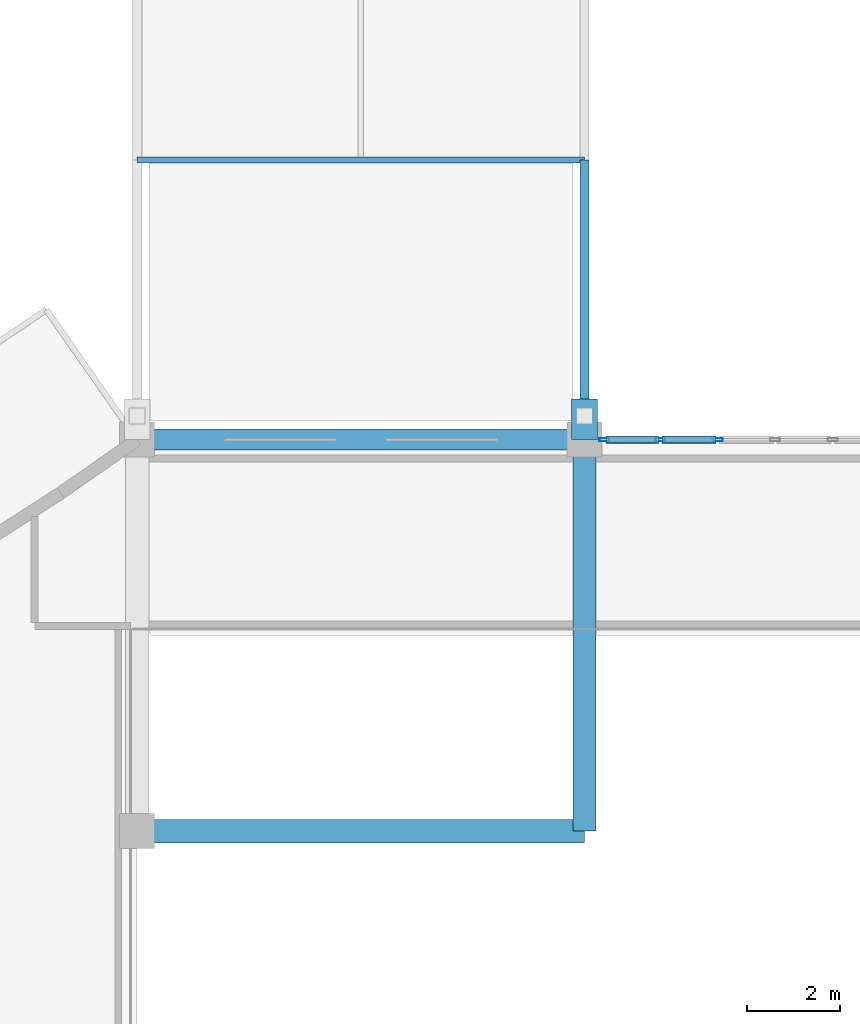
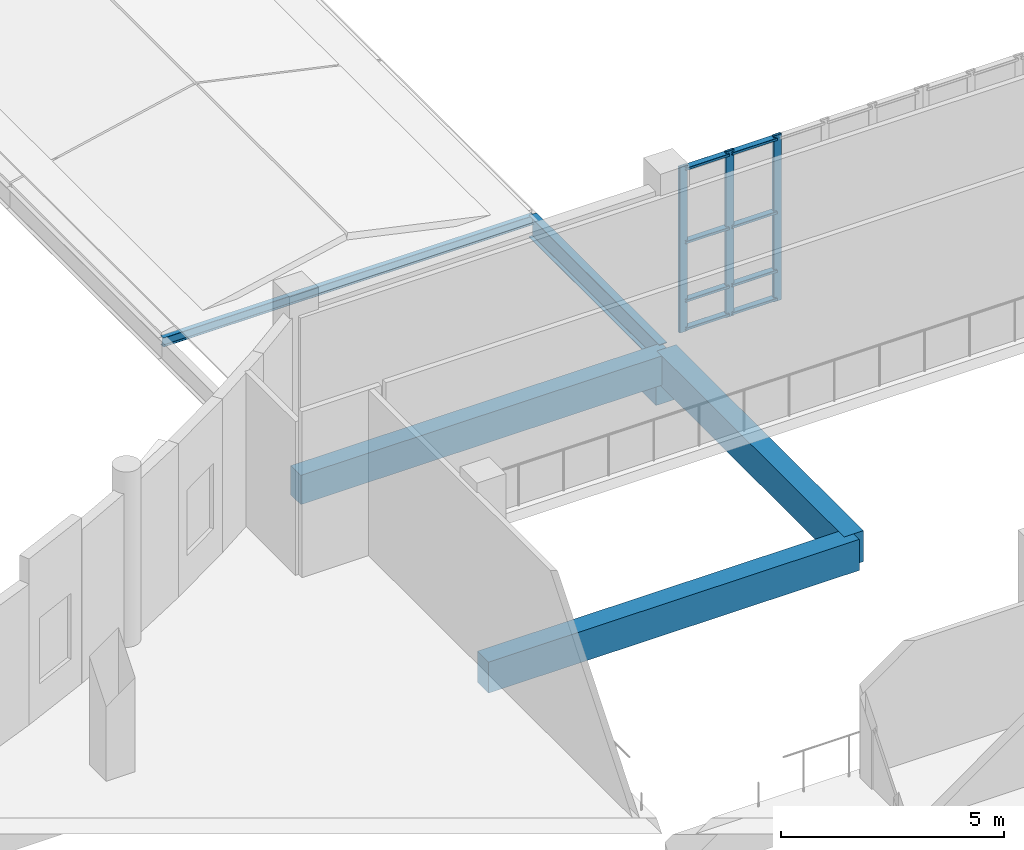
# One storey, part 46 of 106: 11 members, 6 beams, 1 element without a shape of its own.
"""IFC4 building model written with IfcOpenShell, lengths in metres."""

from ifc_helpers import new_model, si_unit, direction, frame, origin, origin_2d, place, context, subcontext, project, spatial, rectangle, hollow_rectangle, i_section, extrude, material, layer, layer_set, material_profile, profile_set, type_object, element, aggregate, save


model = new_model("IFC4")

# Units and contexts
model_context = context("Model", 3, precision=1e-05, world=origin(), true_north=direction((0.0, 1.0)))
body_context = subcontext(model_context, "Body", "Model", "MODEL_VIEW")
ifc_project = project(units=[si_unit("LENGTHUNIT", "METRE"), si_unit("AREAUNIT", "SQUARE_METRE"), si_unit("VOLUMEUNIT", "CUBIC_METRE"), si_unit("PLANEANGLEUNIT", "RADIAN"), si_unit("MASSUNIT", "GRAM", prefix="KILO")], contexts=[model_context])

# Site, building, storey
site_placement = place(None, origin())
site = spatial("IfcSite", under=ifc_project, at=site_placement, CompositionType="ELEMENT")
building_placement = place(site_placement, origin())
building = spatial("IfcBuilding", under=site, at=building_placement, Name="Kisaragi Civic Commons", CompositionType="ELEMENT")
storey_placement = place(building_placement, frame((0.0, 0.0, 4.800048828125)))
storey = spatial("IfcBuildingStorey", under=building, at=storey_placement, Name="L01", CompositionType="ELEMENT", Elevation=4.800048828125)

# Beam
ifc_material_1 = material(Name="Concrete Fc36", Category="concrete")
ifc_material_profile_1 = material_profile(ifc_material_1, rectangle(XDim=0.550048828125, YDim=0.85009765625, at=origin_2d()), Name="RC-550x850", Category="concrete")
ifc_profile_set_1 = profile_set([ifc_material_profile_1], Name="Concrete Fc36")
beam_type_1 = type_object("IfcBeamType", Name="CB-01", PredefinedType="BEAM", material=ifc_profile_set_1)
beam_1_placement = place(storey_placement, frame((133.199951171875, 25.199951171875, -1.3701171875), z_axis=(0.0, 1.0, 0.0), x_axis=(-1.0, 0.0, 0.0)))
element("IfcBeam", 1, at=beam_1_placement, inside=storey, type_object=beam_type_1, Name="BR-V4-V3 L01 seismic corbel 151", PredefinedType="BEAM", context=body_context, shape_type="SweptSolid", body=[
    extrude(rectangle(XDim=0.550048828125, YDim=0.85009765625, at=origin_2d()), origin(), (0.0, 0.0, 1.0), 0.8701171875),
])

# Curtain wall, members
ifc_material_2 = material(Name="Thermally broken anodized aluminium and low-E double glazing", Category="aluminium")
ifc_layer = layer(ifc_material_2, 0.2099609375, Name="Thermally broken anodized aluminium and low-E double glazing", Category="aluminium")
ifc_layer_set = layer_set([ifc_layer], Name="Thermally broken anodized aluminium and low-E double glazing")
curtain_wall_type = type_object("IfcCurtainWallType", Name="CW-02", PredefinedType="NOTDEFINED", material=ifc_layer_set)
curtain_wall_placement = place(storey_placement, origin())
curtain_wall = element("IfcCurtainWall", 2, at=curtain_wall_placement, inside=storey, type_object=curtain_wall_type, Name="L01 curtain wall CW-02 CW-V3-L01-019", PredefinedType="NOTDEFINED")
ifc_material_profile_2 = material_profile(ifc_material_2, hollow_rectangle(XDim=0.070068359375, YDim=0.2099609375, WallThickness=0.0048828125, InnerFilletRadius=0.0048828125, OuterFilletRadius=0.010009765625, at=origin_2d()), Name="CWM-70x210x5", Category="aluminium")
ifc_profile_set_2 = profile_set([ifc_material_profile_2], Name="Thermally broken anodized aluminium and low-E double glazing")
member_type_1 = type_object("IfcMemberType", Name="CWM-03", PredefinedType="MULLION", material=ifc_profile_set_2)
member_1_placement = place(storey_placement, frame((133.625, 25.199951171875, 0.0), z_axis=(0.0, 0.0, 1.0), x_axis=(0.0, 1.0, 0.0)))
member_1 = element("IfcMember", 3, at=member_1_placement, type_object=member_type_1, Name="CW-02 mullion 1", PredefinedType="MULLION", context=body_context, shape_type="SweptSolid", body=[
    extrude(hollow_rectangle(XDim=0.070068359375, YDim=0.2099609375, WallThickness=0.0048828125, InnerFilletRadius=0.0048828125, OuterFilletRadius=0.010009765625, at=origin_2d()), origin(), (0.0, 0.0, 1.0), 4.5400390625),
])
member_2_placement = place(storey_placement, frame((134.823974609375, 25.199951171875, 0.0), z_axis=(0.0, 0.0, 1.0), x_axis=(0.0, 1.0, 0.0)))
member_2 = element("IfcMember", 4, at=member_2_placement, type_object=member_type_1, Name="CW-02 mullion 2", PredefinedType="MULLION", context=body_context, shape_type="SweptSolid", body=[
    extrude(hollow_rectangle(XDim=0.070068359375, YDim=0.2099609375, WallThickness=0.0048828125, InnerFilletRadius=0.0048828125, OuterFilletRadius=0.010009765625, at=origin_2d()), origin(), (0.0, 0.0, 1.0), 4.5400390625),
])
member_3_placement = place(storey_placement, frame((136.05810546875, 25.199951171875, 0.0), z_axis=(0.0, 0.0, 1.0), x_axis=(0.0, 1.0, 0.0)))
member_3 = element("IfcMember", 5, at=member_3_placement, type_object=member_type_1, Name="CW-02 mullion 3", PredefinedType="MULLION", context=body_context, shape_type="SweptSolid", body=[
    extrude(hollow_rectangle(XDim=0.070068359375, YDim=0.2099609375, WallThickness=0.0048828125, InnerFilletRadius=0.0048828125, OuterFilletRadius=0.010009765625, at=origin_2d()), origin(), (0.0, 0.0, 1.0), 4.5400390625),
])
ifc_material_profile_3 = material_profile(ifc_material_2, hollow_rectangle(XDim=0.159912109375, YDim=0.070068359375, WallThickness=0.0048828125, InnerFilletRadius=0.0048828125, OuterFilletRadius=0.010009765625, at=origin_2d()), Name="CWT-70x160x5", Category="aluminium")
ifc_profile_set_3 = profile_set([ifc_material_profile_3], Name="Thermally broken anodized aluminium and low-E double glazing")
member_type_2 = type_object("IfcMemberType", Name="CWT-03", PredefinedType="USERDEFINED", material=ifc_profile_set_3)
member_4_placement = place(storey_placement, frame((133.659912109375, 25.199951171875, 0.079833984375), z_axis=(1.0, 0.0, 0.0), x_axis=(0.0, 1.0, 0.0)))
member_4 = element("IfcMember", 6, at=member_4_placement, type_object=member_type_2, Name="CW-02 transom 1.1", ObjectType="TRANSOM", PredefinedType="USERDEFINED", context=body_context, shape_type="SweptSolid", body=[
    extrude(hollow_rectangle(XDim=0.159912109375, YDim=0.070068359375, WallThickness=0.0048828125, InnerFilletRadius=0.0048828125, OuterFilletRadius=0.010009765625, at=origin_2d()), origin(), (0.0, 0.0, 1.0), 1.129150390625),
])
member_5_placement = place(storey_placement, frame((133.659912109375, 25.199951171875, 0.849853515625), z_axis=(1.0, 0.0, 0.0), x_axis=(0.0, 1.0, 0.0)))
member_5 = element("IfcMember", 7, at=member_5_placement, type_object=member_type_2, Name="CW-02 transom 1.2", ObjectType="TRANSOM", PredefinedType="USERDEFINED", context=body_context, shape_type="SweptSolid", body=[
    extrude(hollow_rectangle(XDim=0.159912109375, YDim=0.070068359375, WallThickness=0.0048828125, InnerFilletRadius=0.0048828125, OuterFilletRadius=0.010009765625, at=origin_2d()), origin(), (0.0, 0.0, 1.0), 1.129150390625),
])
member_6_placement = place(storey_placement, frame((133.659912109375, 25.199951171875, 2.449951171875), z_axis=(1.0, 0.0, 0.0), x_axis=(0.0, 1.0, 0.0)))
member_6 = element("IfcMember", 8, at=member_6_placement, type_object=member_type_2, Name="CW-02 transom 1.3", ObjectType="TRANSOM", PredefinedType="USERDEFINED", context=body_context, shape_type="SweptSolid", body=[
    extrude(hollow_rectangle(XDim=0.159912109375, YDim=0.070068359375, WallThickness=0.0048828125, InnerFilletRadius=0.0048828125, OuterFilletRadius=0.010009765625, at=origin_2d()), origin(), (0.0, 0.0, 1.0), 1.129150390625),
])
member_7_placement = place(storey_placement, frame((133.659912109375, 25.199951171875, 4.4599609375), z_axis=(1.0, 0.0, 0.0), x_axis=(0.0, 1.0, 0.0)))
member_7 = element("IfcMember", 9, at=member_7_placement, type_object=member_type_2, Name="CW-02 transom 1.4", ObjectType="TRANSOM", PredefinedType="USERDEFINED", context=body_context, shape_type="SweptSolid", body=[
    extrude(hollow_rectangle(XDim=0.159912109375, YDim=0.070068359375, WallThickness=0.0048828125, InnerFilletRadius=0.0048828125, OuterFilletRadius=0.010009765625, at=origin_2d()), origin(), (0.0, 0.0, 1.0), 1.129150390625),
])
member_8_placement = place(storey_placement, frame((134.85888671875, 25.199951171875, 0.079833984375), z_axis=(1.0, 0.0, 0.0), x_axis=(0.0, 1.0, 0.0)))
member_8 = element("IfcMember", 10, at=member_8_placement, type_object=member_type_2, Name="CW-02 transom 2.1", ObjectType="TRANSOM", PredefinedType="USERDEFINED", context=body_context, shape_type="SweptSolid", body=[
    extrude(hollow_rectangle(XDim=0.159912109375, YDim=0.070068359375, WallThickness=0.0048828125, InnerFilletRadius=0.0048828125, OuterFilletRadius=0.010009765625, at=origin_2d()), origin(), (0.0, 0.0, 1.0), 1.1640625),
])
member_9_placement = place(storey_placement, frame((134.85888671875, 25.199951171875, 0.849853515625), z_axis=(1.0, 0.0, 0.0), x_axis=(0.0, 1.0, 0.0)))
member_9 = element("IfcMember", 11, at=member_9_placement, type_object=member_type_2, Name="CW-02 transom 2.2", ObjectType="TRANSOM", PredefinedType="USERDEFINED", context=body_context, shape_type="SweptSolid", body=[
    extrude(hollow_rectangle(XDim=0.159912109375, YDim=0.070068359375, WallThickness=0.0048828125, InnerFilletRadius=0.0048828125, OuterFilletRadius=0.010009765625, at=origin_2d()), origin(), (0.0, 0.0, 1.0), 1.1640625),
])
member_10_placement = place(storey_placement, frame((134.85888671875, 25.199951171875, 2.449951171875), z_axis=(1.0, 0.0, 0.0), x_axis=(0.0, 1.0, 0.0)))
member_10 = element("IfcMember", 12, at=member_10_placement, type_object=member_type_2, Name="CW-02 transom 2.3", ObjectType="TRANSOM", PredefinedType="USERDEFINED", context=body_context, shape_type="SweptSolid", body=[
    extrude(hollow_rectangle(XDim=0.159912109375, YDim=0.070068359375, WallThickness=0.0048828125, InnerFilletRadius=0.0048828125, OuterFilletRadius=0.010009765625, at=origin_2d()), origin(), (0.0, 0.0, 1.0), 1.1640625),
])
member_11_placement = place(storey_placement, frame((134.85888671875, 25.199951171875, 4.4599609375), z_axis=(1.0, 0.0, 0.0), x_axis=(0.0, 1.0, 0.0)))
member_11 = element("IfcMember", 13, at=member_11_placement, type_object=member_type_2, Name="CW-02 transom 2.4", ObjectType="TRANSOM", PredefinedType="USERDEFINED", context=body_context, shape_type="SweptSolid", body=[
    extrude(hollow_rectangle(XDim=0.159912109375, YDim=0.070068359375, WallThickness=0.0048828125, InnerFilletRadius=0.0048828125, OuterFilletRadius=0.010009765625, at=origin_2d()), origin(), (0.0, 0.0, 1.0), 1.1640625),
])
aggregate(curtain_wall, [member_1, member_2, member_3, member_4, member_5, member_6, member_7, member_8, member_9, member_10, member_11])

# Beams
ifc_material_3 = material(Name="Concrete Fc30", Category="concrete")
ifc_material_profile_4 = material_profile(ifc_material_3, rectangle(XDim=0.5, YDim=0.85009765625, at=origin_2d()), Name="RC-500x850", Category="concrete")
ifc_profile_set_4 = profile_set([ifc_material_profile_4], Name="Concrete Fc30")
beam_type_2 = type_object("IfcBeamType", Name="G-02", PredefinedType="BEAM", material=ifc_profile_set_4)
beam_2_placement = place(storey_placement, frame((123.60009765625, 16.800048828125, -0.72998046875), z_axis=(1.0, 0.0, 0.0), x_axis=(0.0, 1.0, 0.0)))
element("IfcBeam", 14, at=beam_2_placement, inside=storey, type_object=beam_type_2, Name="L01 girder G-02 211", PredefinedType="BEAM", context=body_context, shape_type="SweptSolid", body=[
    extrude(rectangle(XDim=0.5, YDim=0.85009765625, at=origin_2d()), origin(), (0.0, 0.0, 1.0), 9.599853515625),
])
beam_3_placement = place(storey_placement, frame((133.199951171875, 16.800048828125, -0.72998046875), z_axis=(0.0, 1.0, 0.0), x_axis=(-1.0, 0.0, 0.0)))
element("IfcBeam", 15, at=beam_3_placement, inside=storey, type_object=beam_type_2, Name="L01 girder G-02 216", PredefinedType="BEAM", context=body_context, shape_type="SweptSolid", body=[
    extrude(rectangle(XDim=0.5, YDim=0.85009765625, at=origin_2d()), origin(), (0.0, 0.0, 1.0), 8.39990234375),
])
ifc_material_4 = material(Name="Steel SN490 (SN490B)", Category="steel")
ifc_material_profile_5 = material_profile(ifc_material_4, i_section(OverallWidth=0.199951171875, OverallDepth=0.60009765625, WebThickness=0.010986328125, FlangeThickness=0.01708984375, FilletRadius=0.012939453125, at=origin_2d()), Name="H-600x200x11x17", Category="steel")
ifc_profile_set_5 = profile_set([ifc_material_profile_5], Name="Steel SN490 (SN490B)")
beam_type_3 = type_object("IfcBeamType", Name="G-10", PredefinedType="BEAM", material=ifc_profile_set_5)
beam_4_placement = place(storey_placement, frame((133.199951171875, 31.199951171875, -0.580078125), z_axis=(0.0, -1.0, 0.0), x_axis=(1.0, 0.0, 0.0)))
element("IfcBeam", 16, at=beam_4_placement, inside=storey, type_object=beam_type_3, Name="BR-V4-V3 L01 bridge girder 150", PredefinedType="BEAM", context=body_context, shape_type="SweptSolid", body=[
    extrude(i_section(OverallWidth=0.199951171875, OverallDepth=0.60009765625, WebThickness=0.010986328125, FlangeThickness=0.01708984375, FilletRadius=0.012939453125, at=origin_2d()), origin(), (0.0, 0.0, 1.0), 5.849853515625),
])
ifc_material_5 = material(Name="Steel SN400 (SN400B)", Category="steel")
ifc_material_profile_6 = material_profile(ifc_material_5, i_section(OverallWidth=0.125, OverallDepth=0.25, WebThickness=0.006103515625, FlangeThickness=0.009033203125, FilletRadius=0.008056640625, at=origin_2d()), Name="H-250x125x6x9", Category="steel")
ifc_profile_set_6 = profile_set([ifc_material_profile_6], Name="Steel SN400 (SN400B)")
beam_type_4 = type_object("IfcBeamType", Name="J-05", PredefinedType="JOIST", material=ifc_profile_set_6)
beam_5_placement = place(storey_placement, frame((123.60009765625, 31.199951171875, -0.405029296875), z_axis=(1.0, 0.0, 0.0), x_axis=(0.0, 1.0, 0.0)))
element("IfcBeam", 17, at=beam_5_placement, inside=storey, type_object=beam_type_4, Name="BR-V4-V3 L01 cross joist 160", PredefinedType="JOIST", context=body_context, shape_type="SweptSolid", body=[
    extrude(i_section(OverallWidth=0.125, OverallDepth=0.25, WebThickness=0.006103515625, FlangeThickness=0.009033203125, FilletRadius=0.008056640625, at=origin_2d()), origin(), (0.0, 0.0, 1.0), 9.599853515625),
])
ifc_material_profile_7 = material_profile(ifc_material_3, rectangle(XDim=0.449951171875, YDim=0.800048828125, at=origin_2d()), Name="RC-450x800", Category="concrete")
ifc_profile_set_7 = profile_set([ifc_material_profile_7], Name="Concrete Fc30")
beam_type_5 = type_object("IfcBeamType", Name="SPB-01", PredefinedType="SPANDREL", material=ifc_profile_set_7)
beam_6_placement = place(storey_placement, frame((123.60009765625, 25.199951171875, -0.705078125), z_axis=(1.0, 0.0, 0.0), x_axis=(0.0, 1.0, 0.0)))
element("IfcBeam", 18, at=beam_6_placement, inside=storey, type_object=beam_type_5, Name="L01 girder SPB-01 213", PredefinedType="SPANDREL", context=body_context, shape_type="SweptSolid", body=[
    extrude(rectangle(XDim=0.449951171875, YDim=0.800048828125, at=origin_2d()), origin(), (0.0, 0.0, 1.0), 9.599853515625),
])

save(model, "model.ifc")
